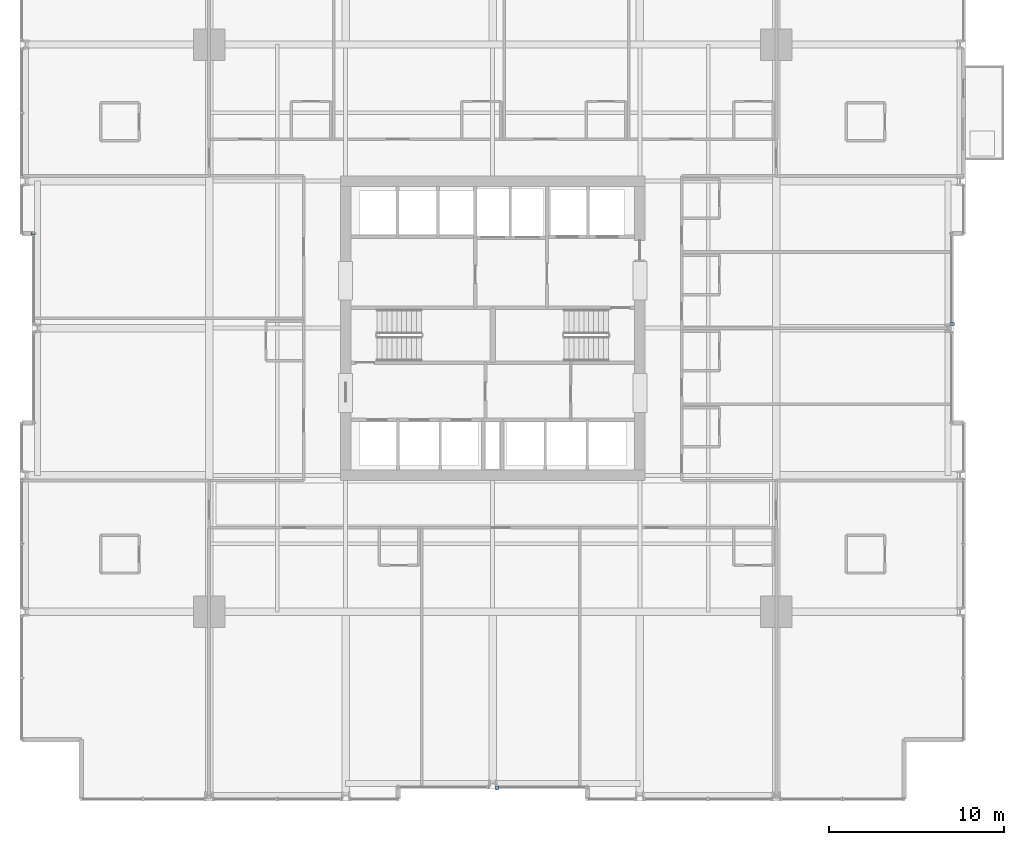
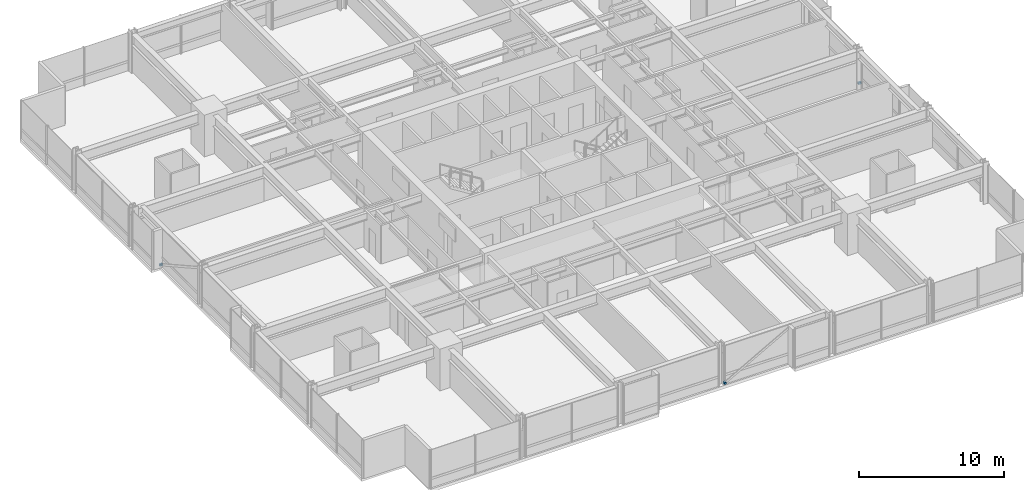
# One storey, part 34 of 38: 3 discrete accessories.
"""IFC4 building model written with IfcOpenShell, lengths in metres."""

import ifcopenshell
import ifcopenshell.guid

model = None  # the IFC model being written
_history = None  # IfcOwnerHistory: only IFC2X3 demands one
_inside = {}  # id of a spatial element -> (the spatial element, [elements in it])
_under = {}  # id of a project, library or spatial element -> (it, [spatial elements below it])
_declared = {}  # id of a project -> (the project, [libraries it declares])
_typed = {}  # id of a type object -> (the type object, [elements of that type])
_made_of = {}  # id of a material, layer set ... -> (it, [elements and type objects made of it])


def new_model(schema):
    """Start an empty IFC model of exactly this schema.

    Asked for "IFC4X3", IfcOpenShell would pick the latest addendum, in which some entities
    have other attributes; the version numbers below select the first issue.
    IFC2X3 requires an IfcOwnerHistory on every rooted entity: one is made here for all.
    """
    global model, _history
    if schema == "IFC4X3":
        model = ifcopenshell.file(schema_version=(4, 3, 0, 0))
    else:
        model = ifcopenshell.file(schema=schema)
    _inside.clear()
    _under.clear()
    _declared.clear()
    _typed.clear()
    _made_of.clear()
    _history = None
    if model.schema == "IFC2X3":
        org = make("IfcOrganization", Name="unknown")
        user = make(
            "IfcPersonAndOrganization",
            ThePerson=make("IfcPerson", FamilyName="unknown"),
            TheOrganization=org,
        )
        app = make(
            "IfcApplication",
            ApplicationDeveloper=org,
            Version="unknown",
            ApplicationFullName="unknown",
            ApplicationIdentifier="unknown",
        )
        _history = make(
            "IfcOwnerHistory",
            OwningUser=user,
            OwningApplication=app,
            ChangeAction="ADDED",
            CreationDate=0,
        )
    return model


def make(cls, **values):
    """One entity of the class cls with the attributes given. An attribute that is None is left unset."""
    return model.create_entity(
        cls, **{name: value for name, value in values.items() if value is not None}
    )


def rooted(cls, **values):
    """An entity with a GlobalId (a new one), such as an element, a storey or a relation."""
    return make(cls, GlobalId=ifcopenshell.guid.new(), OwnerHistory=_history, **values)


def si_unit(unit_type, name, prefix=None):
    """IfcSIUnit, for example si_unit("LENGTHUNIT", "METRE", prefix="MILLI")."""
    return make("IfcSIUnit", UnitType=unit_type, Prefix=prefix, Name=name)


def assignment(units):
    """IfcUnitAssignment: the units of a project."""
    return None if units is None else make("IfcUnitAssignment", Units=units)


def point(xyz):
    """IfcCartesianPoint."""
    return None if xyz is None else make("IfcCartesianPoint", Coordinates=xyz)


def direction(xyz):
    """IfcDirection."""
    return None if xyz is None else make("IfcDirection", DirectionRatios=xyz)


def frame(location, z_axis=None, x_axis=None):
    """IfcAxis2Placement3D, a coordinate frame: its origin and axes. An axis left out is left unset."""
    return make(
        "IfcAxis2Placement3D",
        Location=point(location),
        Axis=direction(z_axis),
        RefDirection=direction(x_axis),
    )


def frame_2d(location, x_axis=None):
    """IfcAxis2Placement2D, a coordinate frame in the plane: its origin and x axis."""
    return make(
        "IfcAxis2Placement2D", Location=point(location), RefDirection=direction(x_axis)
    )


def origin():
    """The frame at (0, 0, 0) with its axes left unset."""
    return frame((0.0, 0.0, 0.0))


def origin_2d():
    """The frame at (0, 0) in the plane with its x axis left unset."""
    return frame_2d((0.0, 0.0))


def place(relative_to, where):
    """IfcLocalPlacement: puts the frame where relative to a parent placement (None: the world)."""
    return make(
        "IfcLocalPlacement", PlacementRelTo=relative_to, RelativePlacement=where
    )


def context(
    kind, dimensions, precision=None, world=None, true_north=None, identifier=None
):
    """IfcGeometricRepresentationContext, for example the 3D "Model" context."""
    return make(
        "IfcGeometricRepresentationContext",
        ContextIdentifier=identifier,
        ContextType=kind,
        CoordinateSpaceDimension=dimensions,
        Precision=precision,
        WorldCoordinateSystem=world,
        TrueNorth=true_north,
    )


def subcontext(parent, identifier, kind, view, scale=None):
    """IfcGeometricRepresentationSubContext, for example "Body" below "Model"."""
    return make(
        "IfcGeometricRepresentationSubContext",
        ContextIdentifier=identifier,
        ContextType=kind,
        ParentContext=parent,
        TargetScale=scale,
        TargetView=view,
    )


def project(units=None, contexts=None):
    """IfcProject with its units and contexts."""
    return rooted(
        "IfcProject",
        Name="project",
        RepresentationContexts=contexts,
        UnitsInContext=assignment(units),
    )


def spatial(cls, under=None, at=None, **own):
    """A site, building, storey or space (cls), placed at a placement, below another one or the project."""
    s = rooted(cls, ObjectPlacement=at, **own)
    if under is not None:
        _under.setdefault(under.id(), (under, []))[1].append(s)
    return s


def profile(cls, at=None, kind="AREA", **sizes):
    """A parametric profile (cls). Its sizes go by their IFC names, for example OverallWidth=200.0."""
    return make(cls, ProfileType=kind, Position=at, **sizes)


def rectangle(**sizes):
    """IfcRectangleProfileDef."""
    return profile("IfcRectangleProfileDef", **sizes)


def extrude(swept, where, along, depth):
    """IfcExtrudedAreaSolid: the profile swept, set in the frame where, extruded along a direction by depth."""
    return make(
        "IfcExtrudedAreaSolid",
        SweptArea=swept,
        Position=where,
        ExtrudedDirection=direction(along),
        Depth=depth,
    )


def shape(context_of_items, identifier, shape_type, items):
    """IfcShapeRepresentation: the items that make up one representation, for example the "Body"."""
    return make(
        "IfcShapeRepresentation",
        ContextOfItems=context_of_items,
        RepresentationIdentifier=identifier,
        RepresentationType=shape_type,
        Items=items,
    )


def material(Name=None, Category=None):
    """IfcMaterial."""
    return make("IfcMaterial", Name=Name, Category=Category)


def made_of(thing, what):
    """Note that an element or type object is made of a material, layer set ...; save() writes the relation."""
    if what is not None:
        _made_of.setdefault(what.id(), (what, []))[1].append(thing)
    return thing


def type_object(cls, material=None, **own):
    """A type object (cls), such as IfcWallType, which elements share."""
    return made_of(rooted(cls, **own), material)


def element(
    cls,
    number,
    at=None,
    inside=None,
    cuts=None,
    type_object=None,
    material=None,
    context=None,
    identifier="Body",
    shape_type=None,
    held_by="IfcProductDefinitionShape",
    body=None,
    shapes=None,
    **own,
):
    """One element of the class cls, such as IfcWall. Its Tag is "e" and its number.

    at: its placement. inside: the storey or other place that contains it. cuts: it is an
    opening in that element (IfcRelVoidsElement). A single representation is given by context,
    identifier, shape_type and body (its items); several are given by shapes. held_by: the class
    of the entity that holds the representations. save() writes the other relations.
    """
    e = rooted(cls, Tag="e%d" % number, ObjectPlacement=at, **own)
    if body is not None:
        shapes = [shape(context, identifier, shape_type, body)]
    if shapes is not None:
        e.Representation = make(held_by, Representations=shapes)
    if inside is not None:
        _inside.setdefault(inside.id(), (inside, []))[1].append(e)
    if cuts is not None:
        rooted(
            "IfcRelVoidsElement", RelatingBuildingElement=cuts, RelatedOpeningElement=e
        )
    if type_object is not None:
        _typed.setdefault(type_object.id(), (type_object, []))[1].append(e)
    return made_of(e, material)


def aggregate(whole, parts):
    """IfcRelAggregates: a whole, such as a stair, and the parts it consists of."""
    return rooted("IfcRelAggregates", RelatingObject=whole, RelatedObjects=parts)


def save(model, path):
    """Write the relations noted so far, then the file.

    IfcRelAggregates (storeys below a building ...), IfcRelContainedInSpatialStructure (elements
    in a storey), IfcRelDefinesByType, IfcRelAssociatesMaterial and IfcRelDeclares: one each for
    every whole, place, type object, material and project.
    """
    for whole, parts in _under.values():
        aggregate(whole, parts)
    for where, things in _inside.values():
        rooted(
            "IfcRelContainedInSpatialStructure",
            RelatedElements=things,
            RelatingStructure=where,
        )
    for kind, things in _typed.values():
        rooted("IfcRelDefinesByType", RelatedObjects=things, RelatingType=kind)
    for what, things in _made_of.values():
        rooted("IfcRelAssociatesMaterial", RelatedObjects=things, RelatingMaterial=what)
    for by, libraries in _declared.values():
        rooted("IfcRelDeclares", RelatingContext=by, RelatedDefinitions=libraries)
    model.write(path)


model = new_model("IFC4")

# Units and contexts
model_context = context("Model", 3, precision=1e-05, world=origin(), true_north=direction((0.0, 1.0)))
body_context = subcontext(model_context, "Body", "Model", "MODEL_VIEW")
ifc_project = project(units=[si_unit("LENGTHUNIT", "METRE"), si_unit("AREAUNIT", "SQUARE_METRE"), si_unit("VOLUMEUNIT", "CUBIC_METRE"), si_unit("PLANEANGLEUNIT", "RADIAN"), si_unit("MASSUNIT", "GRAM", prefix="KILO")], contexts=[model_context])

# Site, building, storey
site_placement = place(None, origin())
site = spatial("IfcSite", under=ifc_project, at=site_placement, CompositionType="ELEMENT")
building_placement = place(site_placement, origin())
building = spatial("IfcBuilding", under=site, at=building_placement, Name="Drelvath Grand Hotel", CompositionType="ELEMENT")
storey_placement = place(building_placement, frame((0.0, 0.0, 50.699951171875)))
storey = spatial("IfcBuildingStorey", under=building, at=storey_placement, Name="L11", CompositionType="ELEMENT", Elevation=50.699951171875)

# Discrete accessories
ifc_material = material(Name="Stainless Steel Grade 316", Category="steel")
discrete_accessory_type = type_object("IfcDiscreteAccessoryType", Name="Curtain Wall Fin Mounting Bracket Cleat", PredefinedType="BRACKET", material=ifc_material)
for number, where, z_axis, x_axis, name in (
    (1, (-26.260009765625, 32.39990234375, 0.10009765625), (0.0, 0.0, 1.0), (0.0, 1.0, 0.0), "L11 Fin Mounting Bracket CW02-L11-WM2-1"),
    (2, (26.260009765625, 27.240966796875, 0.10009765625), (0.0, 0.0, 1.0), (0.0, -1.0, 0.0), "L11 Fin Mounting Bracket CW02-L11-EM2-1"),
    (3, (0.240966796875, 0.739990234375, 0.10009765625), (0.0, 0.0, 1.0), (-1.0, 0.0, 0.0), "L11 Fin Mounting Bracket CW02-L11-SM2-1"),
):
    element("IfcDiscreteAccessory", number, at=place(storey_placement, frame(where, z_axis=z_axis, x_axis=x_axis)), inside=storey, type_object=discrete_accessory_type, Name=name, PredefinedType="BRACKET", context=body_context, shape_type="SweptSolid", body=[
        extrude(rectangle(XDim=0.159912109375, YDim=0.239990234375, at=origin_2d()), origin(), (0.0, 0.0, 1.0), 0.159912109375),
    ])

save(model, "model.ifc")
